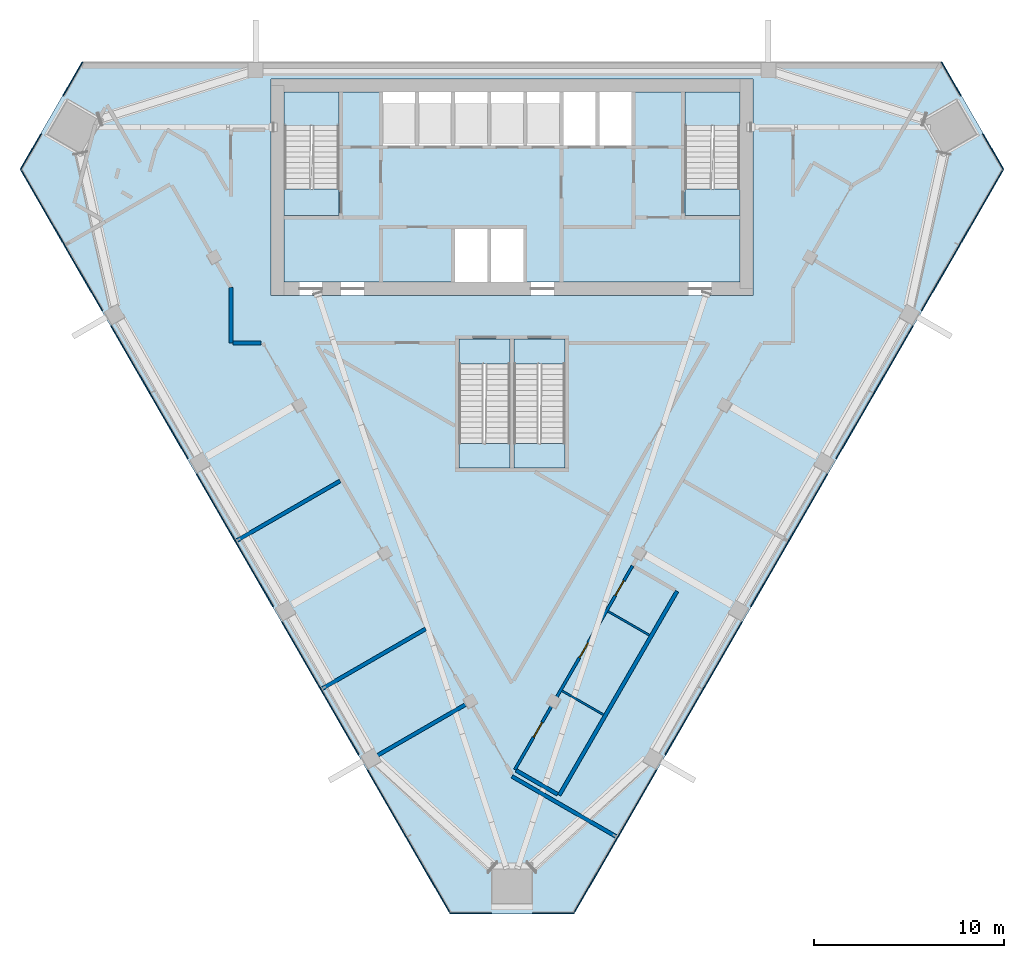
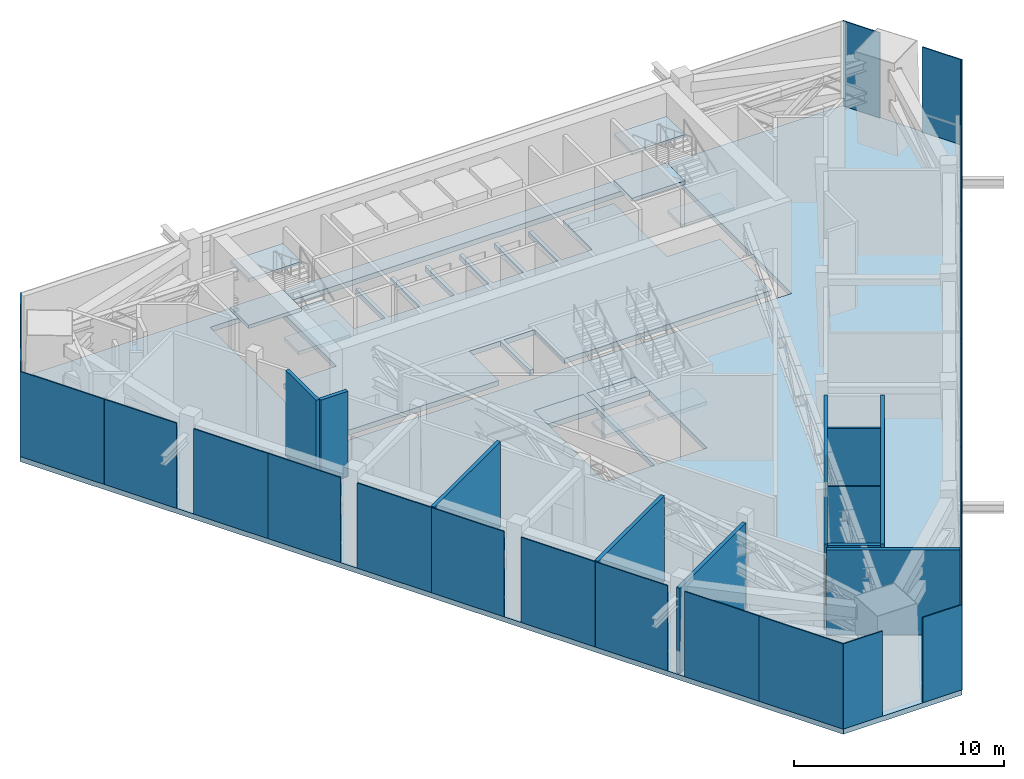
# One storey, part 8 of 14: 26 plates, 12 slabs, 11 walls, 3 doors, 3 openings, 9 elements without a shape of their own.
"""IFC4 building model written with IfcOpenShell, lengths in metres."""

from ifc_helpers import new_model, si_unit, direction, frame, frame_2d, origin, origin_2d, place, context, subcontext, project, spatial, polyline, rectangle, outline, extrude, material, layer, layer_set, type_object, element, fill, aggregate, save


model = new_model("IFC4")

# Units and contexts
model_context = context("Model", 3, precision=1e-05, world=origin(), true_north=direction((0.0, 1.0)))
body_context = subcontext(model_context, "Body", "Model", "MODEL_VIEW")
ifc_project = project(units=[si_unit("LENGTHUNIT", "METRE"), si_unit("AREAUNIT", "SQUARE_METRE"), si_unit("VOLUMEUNIT", "CUBIC_METRE"), si_unit("PLANEANGLEUNIT", "RADIAN"), si_unit("MASSUNIT", "GRAM", prefix="KILO")], contexts=[model_context])

# Site, building, storey
site_placement = place(None, origin())
site = spatial("IfcSite", under=ifc_project, at=site_placement, CompositionType="ELEMENT")
building_placement = place(site_placement, origin())
building = spatial("IfcBuilding", under=site, at=building_placement, Name="Altiplano Prism Tower", CompositionType="ELEMENT")
storey_placement = place(building_placement, frame((0.0, 0.0, 189.0)))
storey = spatial("IfcBuildingStorey", under=building, at=storey_placement, Name="L49", CompositionType="ELEMENT", Elevation=189.0)

# Curtain wall, plates
ifc_material_1 = material(Name="Aluminium and glass", Category="aluminium")
ifc_layer_1 = layer(ifc_material_1, 0.320068359375)
ifc_layer_set_1 = layer_set([ifc_layer_1], Name="Aluminium and glass")
curtain_wall_type = type_object("IfcCurtainWallType", Name="CW6 louvred plant-floor curtain wall", PredefinedType="NOTDEFINED", material=ifc_layer_set_1)
curtain_wall_1_placement = place(storey_placement, origin())
curtain_wall_1 = element("IfcCurtainWall", 1, at=curtain_wall_1_placement, inside=storey, type_object=curtain_wall_type, Name="CW6 curtain wall north-west chamfer L49", PredefinedType="NOTDEFINED")
ifc_material_2 = material(Name="Anodised aluminium", Category="aluminium")
ifc_layer_2 = layer(ifc_material_2, 0.06005859375)
ifc_layer_set_2 = layer_set([ifc_layer_2], Name="Anodised aluminium")
plate_type = type_object("IfcPlateType", Name="CW6 louvred aluminium panel 60", PredefinedType="CURTAIN_PANEL", material=ifc_layer_set_2)
plate_1_placement = place(storey_placement, frame((61.876220703125, 104.09814453125, 0.0), z_axis=(0.0, 0.0, 1.0), x_axis=(-0.500000093804, -0.866025349627, 0.0)))
plate_1 = element("IfcPlate", 2, at=plate_1_placement, type_object=plate_type, Name="CW6 panel", PredefinedType="CURTAIN_PANEL", context=body_context, shape_type="SweptSolid", body=[
    extrude(rectangle(XDim=2.038330078125, YDim=0.06005859375, at=origin_2d()), origin(), (0.0, 0.0, 1.0), 4.949951171875),
])
plate_2_placement = place(storey_placement, frame((59.662109375, 100.26318359375, 0.0), z_axis=(0.0, 0.0, 1.0), x_axis=(-0.500000093804, -0.866025349627, 0.0)))
plate_2 = element("IfcPlate", 3, at=plate_2_placement, type_object=plate_type, Name="CW6 panel", PredefinedType="CURTAIN_PANEL", context=body_context, shape_type="SweptSolid", body=[
    extrude(rectangle(XDim=2.158203125, YDim=0.06005859375, at=origin_2d()), origin(), (0.0, 0.0, 1.0), 4.949951171875),
])
aggregate(curtain_wall_1, [plate_1, plate_2])

curtain_wall_2_placement = place(storey_placement, origin())
curtain_wall_2 = element("IfcCurtainWall", 4, at=curtain_wall_2_placement, inside=storey, type_object=curtain_wall_type, Name="CW6 curtain wall south-west face L49", PredefinedType="NOTDEFINED")
plate_3_placement = place(storey_placement, frame((60.279541015625, 97.34619140625, 0.0), z_axis=(0.0, 0.0, 1.0), x_axis=(0.500000011094, -0.866025397379, 0.0)))
plate_3 = element("IfcPlate", 5, at=plate_3_placement, type_object=plate_type, Name="CW6 panel", PredefinedType="CURTAIN_PANEL", context=body_context, shape_type="SweptSolid", body=[
    extrude(rectangle(XDim=4.627685546875, YDim=0.06005859375, at=origin_2d()), origin(), (0.0, 0.0, 1.0), 4.949951171875),
])
plate_4_placement = place(storey_placement, frame((62.43408203125, 93.61474609375, 0.0), z_axis=(0.0, 0.0, 1.0), x_axis=(0.500000011094, -0.866025397379, 0.0)))
plate_4 = element("IfcPlate", 6, at=plate_4_placement, type_object=plate_type, Name="CW6 panel", PredefinedType="CURTAIN_PANEL", context=body_context, shape_type="SweptSolid", body=[
    extrude(rectangle(XDim=3.969970703125, YDim=0.06005859375, at=origin_2d()), origin(), (0.0, 0.0, 1.0), 4.949951171875),
])
plate_5_placement = place(storey_placement, frame((64.9140625, 89.319091796875, 0.0), z_axis=(0.0, 0.0, 1.0), x_axis=(0.500000011094, -0.866025397379, 0.0)))
plate_5 = element("IfcPlate", 7, at=plate_5_placement, type_object=plate_type, Name="CW6 panel", PredefinedType="CURTAIN_PANEL", context=body_context, shape_type="SweptSolid", body=[
    extrude(rectangle(XDim=4.08984375, YDim=0.06005859375, at=origin_2d()), origin(), (0.0, 0.0, 1.0), 4.949951171875),
])
plate_6_placement = place(storey_placement, frame((66.93408203125, 85.820556640625, 0.0), z_axis=(0.0, 0.0, 1.0), x_axis=(0.500000011094, -0.866025397379, 0.0)))
plate_6 = element("IfcPlate", 8, at=plate_6_placement, type_object=plate_type, Name="CW6 panel", PredefinedType="CURTAIN_PANEL", context=body_context, shape_type="SweptSolid", body=[
    extrude(rectangle(XDim=3.969970703125, YDim=0.06005859375, at=origin_2d()), origin(), (0.0, 0.0, 1.0), 4.949951171875),
])
plate_7_placement = place(storey_placement, frame((69.4140625, 81.52490234375, 0.0), z_axis=(0.0, 0.0, 1.0), x_axis=(0.500000011094, -0.866025397379, 0.0)))
plate_7 = element("IfcPlate", 9, at=plate_7_placement, type_object=plate_type, Name="CW6 panel", PredefinedType="CURTAIN_PANEL", context=body_context, shape_type="SweptSolid", body=[
    extrude(rectangle(XDim=4.08984375, YDim=0.06005859375, at=origin_2d()), origin(), (0.0, 0.0, 1.0), 4.949951171875),
])
plate_8_placement = place(storey_placement, frame((71.43408203125, 78.026123046875, 0.0), z_axis=(0.0, 0.0, 1.0), x_axis=(0.500000011094, -0.866025397379, 0.0)))
plate_8 = element("IfcPlate", 10, at=plate_8_placement, type_object=plate_type, Name="CW6 panel", PredefinedType="CURTAIN_PANEL", context=body_context, shape_type="SweptSolid", body=[
    extrude(rectangle(XDim=3.969970703125, YDim=0.06005859375, at=origin_2d()), origin(), (0.0, 0.0, 1.0), 4.949951171875),
])
plate_9_placement = place(storey_placement, frame((73.9140625, 73.730712890625, 0.0), z_axis=(0.0, 0.0, 1.0), x_axis=(0.500000011094, -0.866025397379, 0.0)))
plate_9 = element("IfcPlate", 11, at=plate_9_placement, type_object=plate_type, Name="CW6 panel", PredefinedType="CURTAIN_PANEL", context=body_context, shape_type="SweptSolid", body=[
    extrude(rectangle(XDim=4.08984375, YDim=0.06005859375, at=origin_2d()), origin(), (0.0, 0.0, 1.0), 4.949951171875),
])
plate_10_placement = place(storey_placement, frame((75.93408203125, 70.23193359375, 0.0), z_axis=(0.0, 0.0, 1.0), x_axis=(0.500000011094, -0.866025397379, 0.0)))
plate_10 = element("IfcPlate", 12, at=plate_10_placement, type_object=plate_type, Name="CW6 panel", PredefinedType="CURTAIN_PANEL", context=body_context, shape_type="SweptSolid", body=[
    extrude(rectangle(XDim=3.969970703125, YDim=0.06005859375, at=origin_2d()), origin(), (0.0, 0.0, 1.0), 4.949951171875),
])
plate_11_placement = place(storey_placement, frame((78.4140625, 65.9365234375, 0.0), z_axis=(0.0, 0.0, 1.0), x_axis=(0.500000011094, -0.866025397379, 0.0)))
plate_11 = element("IfcPlate", 13, at=plate_11_placement, type_object=plate_type, Name="CW6 panel", PredefinedType="CURTAIN_PANEL", context=body_context, shape_type="SweptSolid", body=[
    extrude(rectangle(XDim=4.08984375, YDim=0.06005859375, at=origin_2d()), origin(), (0.0, 0.0, 1.0), 4.949951171875),
])
plate_12_placement = place(storey_placement, frame((80.598388671875, 62.153076171875, 0.0), z_axis=(0.0, 0.0, 1.0), x_axis=(0.500000011094, -0.866025397379, 0.0)))
plate_12 = element("IfcPlate", 14, at=plate_12_placement, type_object=plate_type, Name="CW6 panel", PredefinedType="CURTAIN_PANEL", context=body_context, shape_type="SweptSolid", body=[
    extrude(rectangle(XDim=4.627685546875, YDim=0.06005859375, at=origin_2d()), origin(), (0.0, 0.0, 1.0), 4.949951171875),
])
aggregate(curtain_wall_2, [plate_3, plate_4, plate_5, plate_6, plate_7, plate_8, plate_9, plate_10, plate_11, plate_12])

curtain_wall_3_placement = place(storey_placement, origin())
curtain_wall_3 = element("IfcCurtainWall", 15, at=curtain_wall_3_placement, inside=storey, type_object=curtain_wall_type, Name="CW6 curtain wall south chamfer L49", PredefinedType="NOTDEFINED")
plate_13_placement = place(storey_placement, frame((82.81591796875, 60.159912109375, 0.0), z_axis=(0.0, 0.0, 1.0), x_axis=(1.0, 0.0, 0.0)))
plate_13 = element("IfcPlate", 16, at=plate_13_placement, type_object=plate_type, Name="CW6 panel", PredefinedType="CURTAIN_PANEL", context=body_context, shape_type="SweptSolid", body=[
    extrude(rectangle(XDim=2.158203125, YDim=0.06005859375, at=origin_2d()), origin(), (0.0, 0.0, 1.0), 4.949951171875),
])
plate_14_placement = place(storey_placement, frame((87.18408203125, 60.159912109375, 0.0), z_axis=(0.0, 0.0, 1.0), x_axis=(1.0, 0.0, 0.0)))
plate_14 = element("IfcPlate", 17, at=plate_14_placement, type_object=plate_type, Name="CW6 panel", PredefinedType="CURTAIN_PANEL", context=body_context, shape_type="SweptSolid", body=[
    extrude(rectangle(XDim=2.158203125, YDim=0.06005859375, at=origin_2d()), origin(), (0.0, 0.0, 1.0), 4.949951171875),
])
aggregate(curtain_wall_3, [plate_13, plate_14])

curtain_wall_4_placement = place(storey_placement, origin())
curtain_wall_4 = element("IfcCurtainWall", 18, at=curtain_wall_4_placement, inside=storey, type_object=curtain_wall_type, Name="CW6 curtain wall south-east face L49", PredefinedType="NOTDEFINED")
plate_15_placement = place(storey_placement, frame((89.401611328125, 62.153076171875, 0.0), z_axis=(0.0, 0.0, 1.0), x_axis=(0.500000011094, 0.866025397379, 0.0)))
plate_15 = element("IfcPlate", 19, at=plate_15_placement, type_object=plate_type, Name="CW6 panel", PredefinedType="CURTAIN_PANEL", context=body_context, shape_type="SweptSolid", body=[
    extrude(rectangle(XDim=4.627685546875, YDim=0.06005859375, at=origin_2d()), origin(), (0.0, 0.0, 1.0), 4.949951171875),
])
plate_16_placement = place(storey_placement, frame((91.5859375, 65.9365234375, 0.0), z_axis=(0.0, 0.0, 1.0), x_axis=(0.500000011094, 0.866025397379, 0.0)))
plate_16 = element("IfcPlate", 20, at=plate_16_placement, type_object=plate_type, Name="CW6 panel", PredefinedType="CURTAIN_PANEL", context=body_context, shape_type="SweptSolid", body=[
    extrude(rectangle(XDim=4.08984375, YDim=0.06005859375, at=origin_2d()), origin(), (0.0, 0.0, 1.0), 4.949951171875),
])
plate_17_placement = place(storey_placement, frame((94.06591796875, 70.23193359375, 0.0), z_axis=(0.0, 0.0, 1.0), x_axis=(0.500000011094, 0.866025397379, 0.0)))
plate_17 = element("IfcPlate", 21, at=plate_17_placement, type_object=plate_type, Name="CW6 panel", PredefinedType="CURTAIN_PANEL", context=body_context, shape_type="SweptSolid", body=[
    extrude(rectangle(XDim=3.969970703125, YDim=0.06005859375, at=origin_2d()), origin(), (0.0, 0.0, 1.0), 4.949951171875),
])
plate_18_placement = place(storey_placement, frame((96.0859375, 73.730712890625, 0.0), z_axis=(0.0, 0.0, 1.0), x_axis=(0.500000011094, 0.866025397379, 0.0)))
plate_18 = element("IfcPlate", 22, at=plate_18_placement, type_object=plate_type, Name="CW6 panel", PredefinedType="CURTAIN_PANEL", context=body_context, shape_type="SweptSolid", body=[
    extrude(rectangle(XDim=4.08984375, YDim=0.06005859375, at=origin_2d()), origin(), (0.0, 0.0, 1.0), 4.949951171875),
])
plate_19_placement = place(storey_placement, frame((98.56591796875, 78.026123046875, 0.0), z_axis=(0.0, 0.0, 1.0), x_axis=(0.500000011094, 0.866025397379, 0.0)))
plate_19 = element("IfcPlate", 23, at=plate_19_placement, type_object=plate_type, Name="CW6 panel", PredefinedType="CURTAIN_PANEL", context=body_context, shape_type="SweptSolid", body=[
    extrude(rectangle(XDim=3.969970703125, YDim=0.06005859375, at=origin_2d()), origin(), (0.0, 0.0, 1.0), 4.949951171875),
])
plate_20_placement = place(storey_placement, frame((100.5859375, 81.52490234375, 0.0), z_axis=(0.0, 0.0, 1.0), x_axis=(0.500000011094, 0.866025397379, 0.0)))
plate_20 = element("IfcPlate", 24, at=plate_20_placement, type_object=plate_type, Name="CW6 panel", PredefinedType="CURTAIN_PANEL", context=body_context, shape_type="SweptSolid", body=[
    extrude(rectangle(XDim=4.08984375, YDim=0.06005859375, at=origin_2d()), origin(), (0.0, 0.0, 1.0), 4.949951171875),
])
plate_21_placement = place(storey_placement, frame((103.06591796875, 85.820556640625, 0.0), z_axis=(0.0, 0.0, 1.0), x_axis=(0.500000011094, 0.866025397379, 0.0)))
plate_21 = element("IfcPlate", 25, at=plate_21_placement, type_object=plate_type, Name="CW6 panel", PredefinedType="CURTAIN_PANEL", context=body_context, shape_type="SweptSolid", body=[
    extrude(rectangle(XDim=3.969970703125, YDim=0.06005859375, at=origin_2d()), origin(), (0.0, 0.0, 1.0), 4.949951171875),
])
plate_22_placement = place(storey_placement, frame((105.0859375, 89.319091796875, 0.0), z_axis=(0.0, 0.0, 1.0), x_axis=(0.500000011094, 0.866025397379, 0.0)))
plate_22 = element("IfcPlate", 26, at=plate_22_placement, type_object=plate_type, Name="CW6 panel", PredefinedType="CURTAIN_PANEL", context=body_context, shape_type="SweptSolid", body=[
    extrude(rectangle(XDim=4.08984375, YDim=0.06005859375, at=origin_2d()), origin(), (0.0, 0.0, 1.0), 4.949951171875),
])
plate_23_placement = place(storey_placement, frame((107.56591796875, 93.61474609375, 0.0), z_axis=(0.0, 0.0, 1.0), x_axis=(0.500000011094, 0.866025397379, 0.0)))
plate_23 = element("IfcPlate", 27, at=plate_23_placement, type_object=plate_type, Name="CW6 panel", PredefinedType="CURTAIN_PANEL", context=body_context, shape_type="SweptSolid", body=[
    extrude(rectangle(XDim=3.969970703125, YDim=0.06005859375, at=origin_2d()), origin(), (0.0, 0.0, 1.0), 4.949951171875),
])
plate_24_placement = place(storey_placement, frame((109.720458984375, 97.34619140625, 0.0), z_axis=(0.0, 0.0, 1.0), x_axis=(0.500000011094, 0.866025397379, 0.0)))
plate_24 = element("IfcPlate", 28, at=plate_24_placement, type_object=plate_type, Name="CW6 panel", PredefinedType="CURTAIN_PANEL", context=body_context, shape_type="SweptSolid", body=[
    extrude(rectangle(XDim=4.627685546875, YDim=0.06005859375, at=origin_2d()), origin(), (0.0, 0.0, 1.0), 4.949951171875),
])
aggregate(curtain_wall_4, [plate_15, plate_16, plate_17, plate_18, plate_19, plate_20, plate_21, plate_22, plate_23, plate_24])

curtain_wall_5_placement = place(storey_placement, origin())
curtain_wall_5 = element("IfcCurtainWall", 29, at=curtain_wall_5_placement, inside=storey, type_object=curtain_wall_type, Name="CW6 curtain wall north-east chamfer L49", PredefinedType="NOTDEFINED")
plate_25_placement = place(storey_placement, frame((110.337890625, 100.26318359375, 0.0), z_axis=(0.0, 0.0, 1.0), x_axis=(-0.500000093804, 0.866025349627, 0.0)))
plate_25 = element("IfcPlate", 30, at=plate_25_placement, type_object=plate_type, Name="CW6 panel", PredefinedType="CURTAIN_PANEL", context=body_context, shape_type="SweptSolid", body=[
    extrude(rectangle(XDim=2.158203125, YDim=0.06005859375, at=origin_2d()), origin(), (0.0, 0.0, 1.0), 4.949951171875),
])
plate_26_placement = place(storey_placement, frame((108.123779296875, 104.09814453125, 0.0), z_axis=(0.0, 0.0, 1.0), x_axis=(-0.500000093804, 0.866025349627, 0.0)))
plate_26 = element("IfcPlate", 31, at=plate_26_placement, type_object=plate_type, Name="CW6 panel", PredefinedType="CURTAIN_PANEL", context=body_context, shape_type="SweptSolid", body=[
    extrude(rectangle(XDim=2.038330078125, YDim=0.06005859375, at=origin_2d()), origin(), (0.0, 0.0, 1.0), 4.949951171875),
])
aggregate(curtain_wall_5, [plate_25, plate_26])

# Slabs
ifc_material_3 = material(Name="Concrete C40/50", Category="concrete")
ifc_layer_3 = layer(ifc_material_3, 0.300048828125)
ifc_layer_set_3 = layer_set([ifc_layer_3], Name="Concrete C40/50")
slab_type_1 = type_object("IfcSlabType", Name="Core floor slab 300", PredefinedType="FLOOR", material=ifc_layer_set_3)
slab_1_placement = place(storey_placement, frame((0.0, 0.0, -0.300048828125)))
element("IfcSlab", 32, at=slab_1_placement, inside=storey, type_object=slab_type_1, Name="Core floor slab L49", PredefinedType="FLOOR", context=body_context, shape_type="SweptSolid", body=[
    extrude(outline(polyline([(97.0, 98.31005859375), (94.10009765625, 98.31005859375), (94.10009765625, 103.39990234375), (91.300048828125, 103.39990234375), (91.300048828125, 100.60009765625), (89.60009765625, 100.60009765625), (89.60009765625, 103.39990234375), (89.39990234375, 103.39990234375), (89.39990234375, 100.60009765625), (87.699951171875, 100.60009765625), (87.699951171875, 103.39990234375), (87.5, 103.39990234375), (87.5, 100.60009765625), (85.800048828125, 100.60009765625), (85.800048828125, 103.39990234375), (85.60009765625, 103.39990234375), (85.60009765625, 100.60009765625), (83.89990234375, 100.60009765625), (83.89990234375, 103.39990234375), (83.699951171875, 103.39990234375), (83.699951171875, 100.60009765625), (82.0, 100.60009765625), (82.0, 103.39990234375), (81.800048828125, 103.39990234375), (81.800048828125, 100.60009765625), (80.10009765625, 100.60009765625), (80.10009765625, 103.39990234375), (79.89990234375, 103.39990234375), (79.89990234375, 100.60009765625), (78.199951171875, 100.60009765625), (78.199951171875, 103.39990234375), (75.89990234375, 103.39990234375), (75.89990234375, 98.31005859375), (73.0, 98.31005859375), (73.0, 93.39990234375), (82.0, 93.39990234375), (82.0, 96.199951171875), (83.699951171875, 96.199951171875), (83.699951171875, 93.39990234375), (83.89990234375, 93.39990234375), (83.89990234375, 96.199951171875), (85.60009765625, 96.199951171875), (85.60009765625, 93.39990234375), (97.0, 93.39990234375), (97.0, 98.31005859375)])), origin(), (0.0, 0.0, 1.0), 0.300048828125),
])
slab_2_placement = place(storey_placement, frame((0.0, 0.0, -0.300048828125)))
element("IfcSlab", 33, at=slab_2_placement, inside=storey, type_object=slab_type_1, Name="Stair 3A landing slab L49", PredefinedType="FLOOR", context=body_context, shape_type="SweptSolid", body=[
    extrude(outline(polyline([(82.199951171875, 89.096923828125), (84.89990234375, 89.096923828125), (84.89990234375, 90.39990234375), (82.199951171875, 90.39990234375), (82.199951171875, 89.096923828125)])), origin(), (0.0, 0.0, 1.0), 0.300048828125),
])
slab_3_placement = place(storey_placement, frame((0.0, 0.0, -0.300048828125)))
element("IfcSlab", 34, at=slab_3_placement, inside=storey, type_object=slab_type_1, Name="Stair 3B landing slab L49", PredefinedType="FLOOR", context=body_context, shape_type="SweptSolid", body=[
    extrude(outline(polyline([(85.10009765625, 89.096923828125), (87.800048828125, 89.096923828125), (87.800048828125, 90.39990234375), (85.10009765625, 90.39990234375), (85.10009765625, 89.096923828125)])), origin(), (0.0, 0.0, 1.0), 0.300048828125),
])
ifc_layer_4 = layer(ifc_material_3, 0.300048828125)
ifc_layer_set_4 = layer_set([ifc_layer_4], Name="Concrete C40/50")
slab_type_2 = type_object("IfcSlabType", Name="Post-tensioned flat slab 300", PredefinedType="FLOOR", material=ifc_layer_set_4)
slab_4_placement = place(storey_placement, frame((0.0, 0.0, -0.300048828125)))
element("IfcSlab", 35, at=slab_4_placement, inside=storey, type_object=slab_type_2, Name="Floor slab L49", PredefinedType="FLOOR", context=body_context, shape_type="SweptSolid", body=[
    extrude(outline(polyline([(81.73193359375, 60.1298828125), (59.09423828125, 99.33935546875), (62.3623046875, 105.0), (107.6376953125, 105.0), (110.90576171875, 99.33935546875), (88.26806640625, 60.1298828125), (81.73193359375, 60.1298828125)]), holes=[polyline([(72.300048828125, 104.10009765625), (72.300048828125, 92.699951171875), (97.699951171875, 92.699951171875), (97.699951171875, 104.10009765625), (72.300048828125, 104.10009765625)]), polyline([(84.89990234375, 90.39990234375), (82.199951171875, 90.39990234375), (82.199951171875, 83.60009765625), (84.89990234375, 83.60009765625), (84.89990234375, 90.39990234375)]), polyline([(87.800048828125, 83.60009765625), (87.800048828125, 90.39990234375), (85.10009765625, 90.39990234375), (85.10009765625, 83.60009765625), (87.800048828125, 83.60009765625)])]), origin(), (0.0, 0.0, 1.0), 0.300048828125),
])

# Stair, slabs
stair_type_1 = type_object("IfcStairType", Name="Exit stair 1400", PredefinedType="HALF_TURN_STAIR", material=ifc_material_3)
stair_1_placement = place(storey_placement, origin())
stair_1 = element("IfcStair", 36, at=stair_1_placement, inside=storey, type_object=stair_type_1, Name="L49 Exit Stair 1", PredefinedType="HALF_TURN_STAIR")
ifc_layer_5 = layer(ifc_material_3, 0.199951171875)
ifc_layer_set_5 = layer_set([ifc_layer_5], Name="Concrete C40/50")
slab_type_3 = type_object("IfcSlabType", Name="Stair landing 200", PredefinedType="LANDING", material=ifc_layer_set_5)
slab_5_placement = place(storey_placement, frame((0.0, 0.0, 1.14990234375)))
slab_5 = element("IfcSlab", 37, at=slab_5_placement, type_object=slab_type_3, Name="ST1 landing 1", PredefinedType="LANDING", context=body_context, shape_type="SweptSolid", body=[
    extrude(outline(polyline([(75.89990234375, 101.656982421875), (75.89990234375, 103.39990234375), (73.0, 103.39990234375), (73.0, 101.656982421875), (75.89990234375, 101.656982421875)])), origin(), (0.0, 0.0, 1.0), 0.2001953125),
])
slab_6_placement = place(storey_placement, frame((0.0, 0.0, 2.5)))
slab_6 = element("IfcSlab", 38, at=slab_6_placement, type_object=slab_type_3, Name="ST1 landing 2", PredefinedType="LANDING", context=body_context, shape_type="SweptSolid", body=[
    extrude(outline(polyline([(75.89990234375, 96.89990234375), (75.89990234375, 98.302978515625), (73.0, 98.302978515625), (73.0, 96.89990234375), (75.89990234375, 96.89990234375)])), origin(), (0.0, 0.0, 1.0), 0.199951171875),
])
slab_7_placement = place(storey_placement, frame((0.0, 0.0, 3.85009765625)))
slab_7 = element("IfcSlab", 39, at=slab_7_placement, type_object=slab_type_3, Name="ST1 landing 3", PredefinedType="LANDING", context=body_context, shape_type="SweptSolid", body=[
    extrude(outline(polyline([(75.89990234375, 101.656982421875), (75.89990234375, 103.39990234375), (73.0, 103.39990234375), (73.0, 101.656982421875), (75.89990234375, 101.656982421875)])), origin(), (0.0, 0.0, 1.0), 0.199951171875),
])
aggregate(stair_1, [slab_5, slab_6, slab_7])

stair_2_placement = place(storey_placement, origin())
stair_2 = element("IfcStair", 40, at=stair_2_placement, inside=storey, type_object=stair_type_1, Name="L49 Exit Stair 2", PredefinedType="HALF_TURN_STAIR")
slab_8_placement = place(storey_placement, frame((0.0, 0.0, 1.14990234375)))
slab_8 = element("IfcSlab", 41, at=slab_8_placement, type_object=slab_type_3, Name="ST2 landing 1", PredefinedType="LANDING", context=body_context, shape_type="SweptSolid", body=[
    extrude(outline(polyline([(97.0, 101.656982421875), (97.0, 103.39990234375), (94.10009765625, 103.39990234375), (94.10009765625, 101.656982421875), (97.0, 101.656982421875)])), origin(), (0.0, 0.0, 1.0), 0.2001953125),
])
slab_9_placement = place(storey_placement, frame((0.0, 0.0, 2.5)))
slab_9 = element("IfcSlab", 42, at=slab_9_placement, type_object=slab_type_3, Name="ST2 landing 2", PredefinedType="LANDING", context=body_context, shape_type="SweptSolid", body=[
    extrude(outline(polyline([(97.0, 96.89990234375), (97.0, 98.302978515625), (94.10009765625, 98.302978515625), (94.10009765625, 96.89990234375), (97.0, 96.89990234375)])), origin(), (0.0, 0.0, 1.0), 0.199951171875),
])
slab_10_placement = place(storey_placement, frame((0.0, 0.0, 3.85009765625)))
slab_10 = element("IfcSlab", 43, at=slab_10_placement, type_object=slab_type_3, Name="ST2 landing 3", PredefinedType="LANDING", context=body_context, shape_type="SweptSolid", body=[
    extrude(outline(polyline([(97.0, 101.656982421875), (97.0, 103.39990234375), (94.10009765625, 103.39990234375), (94.10009765625, 101.656982421875), (97.0, 101.656982421875)])), origin(), (0.0, 0.0, 1.0), 0.199951171875),
])
aggregate(stair_2, [slab_8, slab_9, slab_10])

# Stair, slab
stair_type_2 = type_object("IfcStairType", Name="Exit stair 1300", PredefinedType="HALF_TURN_STAIR", material=ifc_material_3)
stair_3_placement = place(storey_placement, origin())
stair_3 = element("IfcStair", 44, at=stair_3_placement, inside=storey, type_object=stair_type_2, Name="L49 Exit Stair 3A", PredefinedType="HALF_TURN_STAIR")
slab_11_placement = place(storey_placement, frame((0.0, 0.0, 2.5)))
slab_11 = element("IfcSlab", 45, at=slab_11_placement, type_object=slab_type_3, Name="ST3A landing 1", PredefinedType="LANDING", context=body_context, shape_type="SweptSolid", body=[
    extrude(outline(polyline([(82.199951171875, 84.903076171875), (82.199951171875, 83.60009765625), (84.89990234375, 83.60009765625), (84.89990234375, 84.903076171875), (82.199951171875, 84.903076171875)])), origin(), (0.0, 0.0, 1.0), 0.199951171875),
])
aggregate(stair_3, [slab_11])

stair_4_placement = place(storey_placement, origin())
stair_4 = element("IfcStair", 46, at=stair_4_placement, inside=storey, type_object=stair_type_2, Name="L49 Exit Stair 3B", PredefinedType="HALF_TURN_STAIR")
slab_12_placement = place(storey_placement, frame((0.0, 0.0, 2.5)))
slab_12 = element("IfcSlab", 47, at=slab_12_placement, type_object=slab_type_3, Name="ST3B landing 1", PredefinedType="LANDING", context=body_context, shape_type="SweptSolid", body=[
    extrude(outline(polyline([(85.10009765625, 84.903076171875), (85.10009765625, 83.60009765625), (87.800048828125, 83.60009765625), (87.800048828125, 84.903076171875), (85.10009765625, 84.903076171875)])), origin(), (0.0, 0.0, 1.0), 0.199951171875),
])
aggregate(stair_4, [slab_12])

# Walls
ifc_material_4 = material(Name="Plasterboard on steel stud", Category="steel")
ifc_layer_6 = layer(ifc_material_4, 0.10009765625)
ifc_layer_set_6 = layer_set([ifc_layer_6], Name="Plasterboard on steel stud")
wall_type_1 = type_object("IfcWallType", Name="Partition 100 wet", PredefinedType="PARTITIONING", material=ifc_layer_set_6)
for number, where, z_axis, x_axis, name in (
    (48, (89.819580078125, 70.616943359375, 0.0), (0.0, 0.0, 1.0), (-0.865973021571, 0.500090717682, 0.0), "Partition P03 L49 046"),
    (49, (92.237548828125, 74.80517578125, 0.0), (0.0, 0.0, 1.0), (-0.866014894461, 0.50001820224, 0.0), "Partition P03 L49 047"),
):
    element("IfcWall", number, at=place(storey_placement, frame(where, z_axis=z_axis, x_axis=x_axis)), inside=storey, type_object=wall_type_1, Name=name, PredefinedType="PARTITIONING", context=body_context, shape_type="SweptSolid", body=[
        extrude(rectangle(XDim=2.52490234375, YDim=0.10009765625, at=frame_2d((1.262451171875, 0.0))), origin(), (0.0, 0.0, 1.0), 4.949951171875),
    ])

# Wall, openings, doors
ifc_layer_7 = layer(ifc_material_4, 0.14990234375)
ifc_layer_set_7 = layer_set([ifc_layer_7], Name="Plasterboard on steel stud")
wall_type_2 = type_object("IfcWallType", Name="Partition 150 corridor", PredefinedType="PARTITIONING", material=ifc_layer_set_7)
wall_1_placement = place(storey_placement, frame((85.14990234375, 67.72900390625, 0.0), z_axis=(0.0, 0.0, 1.0), x_axis=(0.500009909098, 0.866019682689, 0.0)))
wall_1 = element("IfcWall", 50, at=wall_1_placement, inside=storey, type_object=wall_type_2, Name="Partition P06 L49 031", PredefinedType="PARTITIONING", context=body_context, shape_type="SweptSolid", body=[
    extrude(rectangle(XDim=12.400146484375, YDim=0.14990234375, at=frame_2d((6.2001953125, 0.0))), origin(), (0.0, 0.0, 1.0), 4.949951171875),
])
opening_1_placement = place(wall_1_placement, frame((1.968017578125, 0.0, 0.0)))
opening_1 = element("IfcOpeningElement", 51, at=opening_1_placement, cuts=wall_1, Name="Opening D1734", PredefinedType="OPENING", context=body_context, shape_type="SweptSolid", body=[
    extrude(rectangle(XDim=0.89990234375, YDim=2.10009765625, at=frame_2d((0.449951171875, 1.050048828125))), frame((0.0, 0.08544921875, 0.0), z_axis=(0.0, -1.0, 0.0), x_axis=(1.0, 0.0, 0.0)), (0.0, 0.0, 1.0), 0.1708984375),
])
opening_2_placement = place(wall_1_placement, frame((6.803955078125, 0.0, 0.0)))
opening_2 = element("IfcOpeningElement", 52, at=opening_2_placement, cuts=wall_1, Name="Opening D1735", PredefinedType="OPENING", context=body_context, shape_type="SweptSolid", body=[
    extrude(rectangle(XDim=0.89990234375, YDim=2.10009765625, at=frame_2d((0.449951171875, 1.050048828125))), frame((0.0, 0.08544921875, 0.0), z_axis=(0.0, -1.0, 0.0), x_axis=(1.0, 0.0, 0.0)), (0.0, 0.0, 1.0), 0.1708984375),
])
opening_3_placement = place(wall_1_placement, frame((10.5859375, 0.0, 0.0)))
opening_3 = element("IfcOpeningElement", 53, at=opening_3_placement, cuts=wall_1, Name="Opening D1736", PredefinedType="OPENING", context=body_context, shape_type="SweptSolid", body=[
    extrude(rectangle(XDim=0.89990234375, YDim=2.10009765625, at=frame_2d((0.449951171875, 1.050048828125))), frame((0.0, 0.08544921875, 0.0), z_axis=(0.0, -1.0, 0.0), x_axis=(1.0, 0.0, 0.0)), (0.0, 0.0, 1.0), 0.1708984375),
])
ifc_material_5 = material(Name="Timber", Category="wood")
door_type = type_object("IfcDoorType", Name="Toilet door 900 x 2100", OperationType="NOTDEFINED", PredefinedType="NOTDEFINED", material=ifc_material_5)
door_1_placement = place(opening_1_placement, origin())
door_1 = element("IfcDoor", 54, at=door_1_placement, inside=storey, type_object=door_type, Name="Door D1734", OperationType="SINGLE_SWING_LEFT", OverallHeight=2.10009765625, OverallWidth=0.89990234375, PredefinedType="NOTDEFINED", context=body_context, shape_type="SweptSolid", body=[
    extrude(rectangle(XDim=0.89990234375, YDim=2.10009765625, at=frame_2d((0.449951171875, 1.050048828125))), frame((0.0, 0.02490234375, 0.0), z_axis=(0.0, -1.0, 0.0), x_axis=(1.0, 0.0, 0.0)), (0.0, 0.0, 1.0), 0.050048828125),
])
fill(opening_1, door_1)
door_2_placement = place(opening_2_placement, origin())
door_2 = element("IfcDoor", 55, at=door_2_placement, inside=storey, type_object=door_type, Name="Door D1735", OperationType="SINGLE_SWING_RIGHT", OverallHeight=2.10009765625, OverallWidth=0.89990234375, PredefinedType="NOTDEFINED", context=body_context, shape_type="SweptSolid", body=[
    extrude(rectangle(XDim=0.89990234375, YDim=2.10009765625, at=frame_2d((0.449951171875, 1.050048828125))), frame((0.0, 0.02490234375, 0.0), z_axis=(0.0, -1.0, 0.0), x_axis=(1.0, 0.0, 0.0)), (0.0, 0.0, 1.0), 0.050048828125),
])
fill(opening_2, door_2)
door_3_placement = place(opening_3_placement, origin())
door_3 = element("IfcDoor", 56, at=door_3_placement, inside=storey, type_object=door_type, Name="Door D1736", OperationType="SINGLE_SWING_RIGHT", OverallHeight=2.10009765625, OverallWidth=0.89990234375, PredefinedType="NOTDEFINED", context=body_context, shape_type="SweptSolid", body=[
    extrude(rectangle(XDim=0.89990234375, YDim=2.10009765625, at=frame_2d((0.449951171875, 1.050048828125))), frame((0.0, 0.02490234375, 0.0), z_axis=(0.0, -1.0, 0.0), x_axis=(1.0, 0.0, 0.0)), (0.0, 0.0, 1.0), 0.050048828125),
])
fill(opening_3, door_3)

# Walls
ifc_layer_8 = layer(ifc_material_4, 0.199951171875)
ifc_layer_set_8 = layer_set([ifc_layer_8], Name="Plasterboard on steel stud")
wall_type_3 = type_object("IfcWallType", Name="Partition 200 plant", PredefinedType="PARTITIONING", material=ifc_layer_set_8)
wall_2_placement = place(storey_placement, frame((70.199951171875, 93.103515625, 0.0), z_axis=(0.0, 0.0, 1.0), x_axis=(8.4097216e-05, -0.999999996464, 0.0)))
element("IfcWall", 57, at=wall_2_placement, inside=storey, type_object=wall_type_3, Name="Partition P04 L49 003", PredefinedType="PARTITIONING", context=body_context, shape_type="SweptSolid", body=[
    extrude(rectangle(XDim=2.903076171875, YDim=0.199951171875, at=frame_2d((1.45166015625, 0.0))), origin(), (0.0, 0.0, 1.0), 4.949951171875),
])
wall_3_placement = place(storey_placement, frame((70.300048828125, 90.200439453125, 0.0), z_axis=(0.0, 0.0, 1.0), x_axis=(0.999999946286, -0.000327761372, 0.0)))
element("IfcWall", 58, at=wall_3_placement, inside=storey, type_object=wall_type_3, Name="Partition P04 L49 004", PredefinedType="PARTITIONING", context=body_context, shape_type="SweptSolid", body=[
    extrude(rectangle(XDim=1.48974609375, YDim=0.199951171875, at=frame_2d((0.744873046875, 0.0))), origin(), (0.0, 0.0, 1.0), 4.949951171875),
])
for number, where, z_axis, x_axis, name in (
    (59, (70.49951171875, 79.78466796875, 0.0), (0.0, 0.0, 1.0), (0.866035871367, 0.499981869177, 0.0), "Partition P04 L49 032"),
    (60, (74.99951171875, 71.990234375, 0.0), (0.0, 0.0, 1.0), (0.866019091382, 0.500010933242, 0.0), "Partition P04 L49 034"),
    (61, (77.24951171875, 68.09326171875, 0.0), (0.0, 0.0, 1.0), (0.866035871367, 0.499981869177, 0.0), "Partition P04 L49 035"),
):
    element("IfcWall", number, at=place(storey_placement, frame(where, z_axis=z_axis, x_axis=x_axis)), inside=storey, type_object=wall_type_3, Name=name, PredefinedType="PARTITIONING", context=body_context, shape_type="SweptSolid", body=[
        extrude(rectangle(XDim=6.300048828125, YDim=0.199951171875, at=frame_2d((3.14990234375, 0.0))), origin(), (0.0, 0.0, 1.0), 4.949951171875),
    ])
wall_4_placement = place(storey_placement, frame((90.50048828125, 64.196044921875, 0.0), z_axis=(0.0, 0.0, 1.0), x_axis=(-0.866020436474, 0.500008603535, 0.0)))
element("IfcWall", 62, at=wall_4_placement, inside=storey, type_object=wall_type_3, Name="Partition P04 L49 036", PredefinedType="PARTITIONING", context=body_context, shape_type="SweptSolid", body=[
    extrude(rectangle(XDim=6.3515625, YDim=0.199951171875, at=frame_2d((3.17578125, 0.0))), origin(), (0.0, 0.0, 1.0), 4.949951171875),
])
wall_5_placement = place(storey_placement, frame((87.401611328125, 66.428955078125, 0.0), z_axis=(0.0, 0.0, 1.0), x_axis=(-0.866039067339, 0.499976333282, 0.0)))
element("IfcWall", 63, at=wall_5_placement, inside=storey, type_object=wall_type_3, Name="Partition P04 L49 038", PredefinedType="PARTITIONING", context=body_context, shape_type="SweptSolid", body=[
    extrude(rectangle(XDim=2.52490234375, YDim=0.199951171875, at=frame_2d((1.262451171875, 0.0))), origin(), (0.0, 0.0, 1.0), 4.949951171875),
])
wall_6_placement = place(storey_placement, frame((93.688232421875, 77.11767578125, 0.0), z_axis=(0.0, 0.0, 1.0), x_axis=(-0.499995142677, -0.866028208143, 0.0)))
element("IfcWall", 64, at=wall_6_placement, inside=storey, type_object=wall_type_3, Name="Partition P04 L49 039", PredefinedType="PARTITIONING", context=body_context, shape_type="SweptSolid", body=[
    extrude(rectangle(XDim=12.39990234375, YDim=0.199951171875, at=frame_2d((6.199951171875, 0.0))), origin(), (0.0, 0.0, 1.0), 4.949951171875),
])

save(model, "model.ifc")
